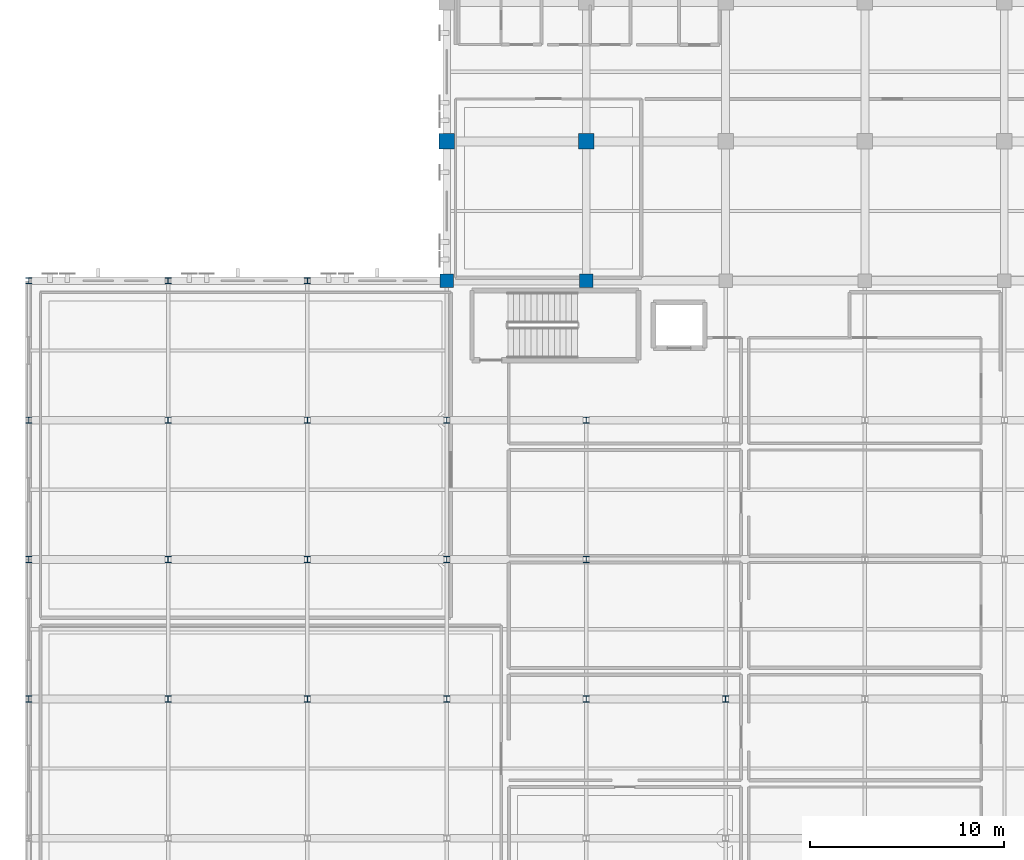
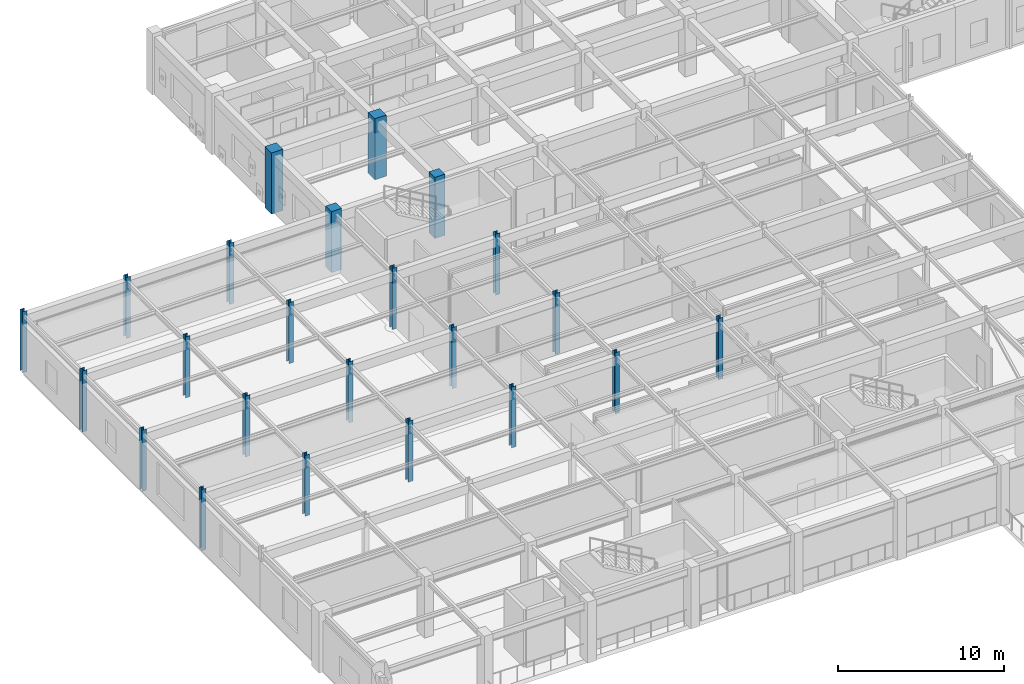
# One storey, part 5 of 106: 23 columns.
"""IFC4 building model written with IfcOpenShell, lengths in metres."""

from ifc_helpers import new_model, si_unit, direction, frame, origin, origin_2d, place, context, subcontext, project, spatial, rectangle, i_section, extrude, material, material_profile, profile_set, type_object, element, save


model = new_model("IFC4")

# Units and contexts
model_context = context("Model", 3, precision=1e-05, world=origin(), true_north=direction((0.0, 1.0)))
body_context = subcontext(model_context, "Body", "Model", "MODEL_VIEW")
ifc_project = project(units=[si_unit("LENGTHUNIT", "METRE"), si_unit("AREAUNIT", "SQUARE_METRE"), si_unit("VOLUMEUNIT", "CUBIC_METRE"), si_unit("PLANEANGLEUNIT", "RADIAN"), si_unit("MASSUNIT", "GRAM", prefix="KILO")], contexts=[model_context])

# Site, building, storey
site_placement = place(None, origin())
site = spatial("IfcSite", under=ifc_project, at=site_placement, CompositionType="ELEMENT")
building_placement = place(site_placement, origin())
building = spatial("IfcBuilding", under=site, at=building_placement, Name="Carrowvane Square Congress Hotel", CompositionType="ELEMENT")
storey_placement = place(building_placement, frame((0.0, 0.0, 10.5)))
storey = spatial("IfcBuildingStorey", under=building, at=storey_placement, Name="L02", CompositionType="ELEMENT", Elevation=10.5)

# Columns
ifc_material_1 = material(Name="Concrete C40/50", Category="concrete")
ifc_material_profile_1 = material_profile(ifc_material_1, rectangle(XDim=0.699951171875, YDim=0.699951171875, at=origin_2d()), Name="RC 700x700")
ifc_profile_set_1 = profile_set([ifc_material_profile_1], Name="Concrete C40/50")
column_type_1 = type_object("IfcColumnType", Name="COL-RC-700", PredefinedType="COLUMN", material=ifc_profile_set_1)
for number, where, z_axis, x_axis, name in (
    (1, (33.199951171875, 91.800048828125, 0.0), (0.0, 0.0, 1.0), (1.0, 0.0, 0.0), "L02 column 4/N"),
    (2, (40.39990234375, 91.800048828125, 0.0), (0.0, 0.0, 1.0), (1.0, 0.0, 0.0), "L02 column 5/N"),
):
    element("IfcColumn", number, at=place(storey_placement, frame(where, z_axis=z_axis, x_axis=x_axis)), inside=storey, type_object=column_type_1, Name=name, PredefinedType="COLUMN", context=body_context, shape_type="SweptSolid", body=[
        extrude(rectangle(XDim=0.699951171875, YDim=0.699951171875, at=origin_2d()), origin(), (0.0, 0.0, 1.0), 4.5),
    ])
ifc_material_2 = material(Name="Concrete C40/50", Category="concrete")
ifc_material_profile_2 = material_profile(ifc_material_2, rectangle(XDim=0.800048828125, YDim=0.800048828125, at=origin_2d()), Name="RC 800x800")
ifc_profile_set_2 = profile_set([ifc_material_profile_2], Name="Concrete C40/50")
column_type_2 = type_object("IfcColumnType", Name="COL-RC-800", PredefinedType="COLUMN", material=ifc_profile_set_2)
for number, where, z_axis, x_axis, name in (
    (3, (33.199951171875, 99.0, 0.0), (0.0, 0.0, 1.0), (1.0, 0.0, 0.0), "L02 column 4/P"),
    (4, (40.39990234375, 99.0, 0.0), (0.0, 0.0, 1.0), (1.0, 0.0, 0.0), "L02 column 5/P"),
):
    element("IfcColumn", number, at=place(storey_placement, frame(where, z_axis=z_axis, x_axis=x_axis)), inside=storey, type_object=column_type_2, Name=name, PredefinedType="COLUMN", context=body_context, shape_type="SweptSolid", body=[
        extrude(rectangle(XDim=0.800048828125, YDim=0.800048828125, at=origin_2d()), origin(), (0.0, 0.0, 1.0), 4.5),
    ])
ifc_material_3 = material(Name="Steel S355", Category="steel")
ifc_material_profile_3 = material_profile(ifc_material_3, i_section(OverallWidth=0.30908203125, OverallDepth=0.320556640625, WebThickness=0.013916015625, FlangeThickness=0.021728515625, FilletRadius=0.01513671875, at=origin_2d()), Name="UKC 305x305x137")
ifc_profile_set_3 = profile_set([ifc_material_profile_3], Name="Steel S355")
column_type_3 = type_object("IfcColumnType", Name="COL-ST-UKC305", PredefinedType="COLUMN", material=ifc_profile_set_3)
for number, where, z_axis, x_axis, name in (
    (5, (11.60009765625, 70.199951171875, 0.0), (0.0, 0.0, 1.0), (1.0, 0.0, 0.0), "L02 column 1/K"),
    (6, (11.60009765625, 77.39990234375, 0.0), (0.0, 0.0, 1.0), (1.0, 0.0, 0.0), "L02 column 1/L"),
    (7, (11.60009765625, 84.60009765625, 0.0), (0.0, 0.0, 1.0), (1.0, 0.0, 0.0), "L02 column 1/M"),
    (8, (11.60009765625, 91.800048828125, 0.0), (0.0, 0.0, 1.0), (1.0, 0.0, 0.0), "L02 column 1/N"),
    (9, (18.800048828125, 70.199951171875, 0.0), (0.0, 0.0, 1.0), (1.0, 0.0, 0.0), "L02 column 2/K"),
    (10, (18.800048828125, 77.39990234375, 0.0), (0.0, 0.0, 1.0), (1.0, 0.0, 0.0), "L02 column 2/L"),
    (11, (18.800048828125, 84.60009765625, 0.0), (0.0, 0.0, 1.0), (1.0, 0.0, 0.0), "L02 column 2/M"),
    (12, (18.800048828125, 91.800048828125, 0.0), (0.0, 0.0, 1.0), (1.0, 0.0, 0.0), "L02 column 2/N"),
    (13, (26.0, 70.199951171875, 0.0), (0.0, 0.0, 1.0), (1.0, 0.0, 0.0), "L02 column 3/K"),
    (14, (26.0, 77.39990234375, 0.0), (0.0, 0.0, 1.0), (1.0, 0.0, 0.0), "L02 column 3/L"),
    (15, (26.0, 84.60009765625, 0.0), (0.0, 0.0, 1.0), (1.0, 0.0, 0.0), "L02 column 3/M"),
    (16, (26.0, 91.800048828125, 0.0), (0.0, 0.0, 1.0), (1.0, 0.0, 0.0), "L02 column 3/N"),
    (17, (33.199951171875, 70.199951171875, 0.0), (0.0, 0.0, 1.0), (1.0, 0.0, 0.0), "L02 column 4/K"),
    (18, (33.199951171875, 77.39990234375, 0.0), (0.0, 0.0, 1.0), (1.0, 0.0, 0.0), "L02 column 4/L"),
    (19, (33.199951171875, 84.60009765625, 0.0), (0.0, 0.0, 1.0), (1.0, 0.0, 0.0), "L02 column 4/M"),
    (20, (40.39990234375, 70.199951171875, 0.0), (0.0, 0.0, 1.0), (1.0, 0.0, 0.0), "L02 column 5/K"),
    (21, (40.39990234375, 77.39990234375, 0.0), (0.0, 0.0, 1.0), (1.0, 0.0, 0.0), "L02 column 5/L"),
    (22, (40.39990234375, 84.60009765625, 0.0), (0.0, 0.0, 1.0), (1.0, 0.0, 0.0), "L02 column 5/M"),
    (23, (47.60009765625, 70.199951171875, 0.0), (0.0, 0.0, 1.0), (1.0, 0.0, 0.0), "L02 column 6/K"),
):
    element("IfcColumn", number, at=place(storey_placement, frame(where, z_axis=z_axis, x_axis=x_axis)), inside=storey, type_object=column_type_3, Name=name, PredefinedType="COLUMN", context=body_context, shape_type="SweptSolid", body=[
        extrude(i_section(OverallWidth=0.30908203125, OverallDepth=0.320556640625, WebThickness=0.013916015625, FlangeThickness=0.021728515625, FilletRadius=0.01513671875, at=origin_2d()), origin(), (0.0, 0.0, 1.0), 4.5),
    ])

save(model, "model.ifc")
